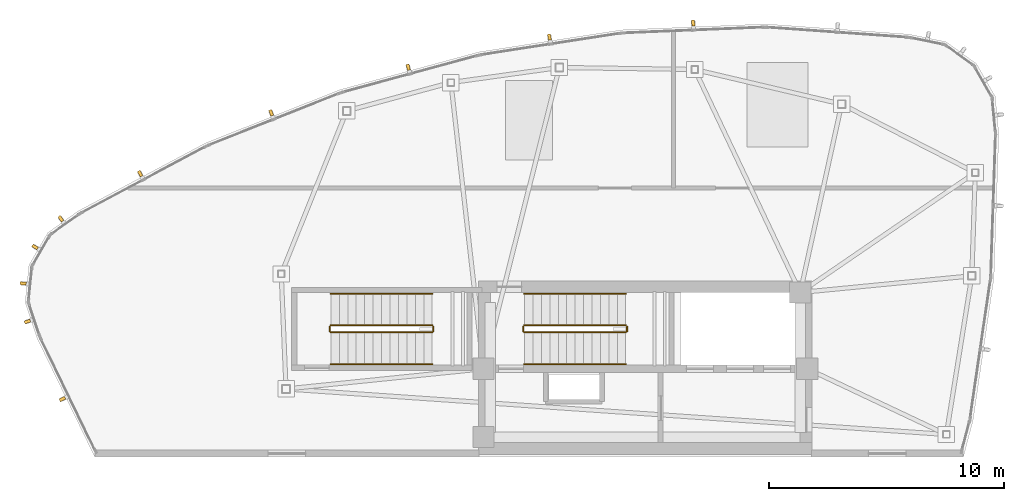
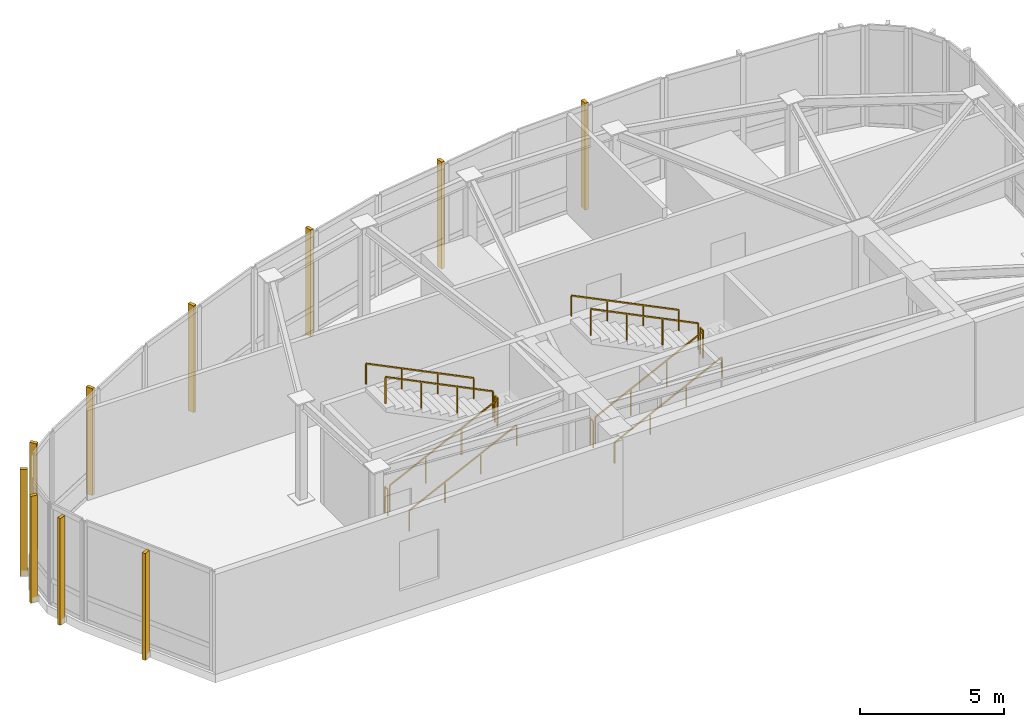
# One storey, part 8 of 10: 12 railings, 10 shading devices.
"""IFC4 building model written with IfcOpenShell, lengths in metres."""

import ifcopenshell
import ifcopenshell.guid

model = None  # the IFC model being written
_history = None  # IfcOwnerHistory: only IFC2X3 demands one
_inside = {}  # id of a spatial element -> (the spatial element, [elements in it])
_under = {}  # id of a project, library or spatial element -> (it, [spatial elements below it])
_declared = {}  # id of a project -> (the project, [libraries it declares])
_typed = {}  # id of a type object -> (the type object, [elements of that type])
_made_of = {}  # id of a material, layer set ... -> (it, [elements and type objects made of it])


def new_model(schema):
    """Start an empty IFC model of exactly this schema.

    Asked for "IFC4X3", IfcOpenShell would pick the latest addendum, in which some entities
    have other attributes; the version numbers below select the first issue.
    IFC2X3 requires an IfcOwnerHistory on every rooted entity: one is made here for all.
    """
    global model, _history
    if schema == "IFC4X3":
        model = ifcopenshell.file(schema_version=(4, 3, 0, 0))
    else:
        model = ifcopenshell.file(schema=schema)
    _inside.clear()
    _under.clear()
    _declared.clear()
    _typed.clear()
    _made_of.clear()
    _history = None
    if model.schema == "IFC2X3":
        org = make("IfcOrganization", Name="unknown")
        user = make(
            "IfcPersonAndOrganization",
            ThePerson=make("IfcPerson", FamilyName="unknown"),
            TheOrganization=org,
        )
        app = make(
            "IfcApplication",
            ApplicationDeveloper=org,
            Version="unknown",
            ApplicationFullName="unknown",
            ApplicationIdentifier="unknown",
        )
        _history = make(
            "IfcOwnerHistory",
            OwningUser=user,
            OwningApplication=app,
            ChangeAction="ADDED",
            CreationDate=0,
        )
    return model


def make(cls, **values):
    """One entity of the class cls with the attributes given. An attribute that is None is left unset."""
    return model.create_entity(
        cls, **{name: value for name, value in values.items() if value is not None}
    )


def rooted(cls, **values):
    """An entity with a GlobalId (a new one), such as an element, a storey or a relation."""
    return make(cls, GlobalId=ifcopenshell.guid.new(), OwnerHistory=_history, **values)


def si_unit(unit_type, name, prefix=None):
    """IfcSIUnit, for example si_unit("LENGTHUNIT", "METRE", prefix="MILLI")."""
    return make("IfcSIUnit", UnitType=unit_type, Prefix=prefix, Name=name)


def assignment(units):
    """IfcUnitAssignment: the units of a project."""
    return None if units is None else make("IfcUnitAssignment", Units=units)


def point(xyz):
    """IfcCartesianPoint."""
    return None if xyz is None else make("IfcCartesianPoint", Coordinates=xyz)


def direction(xyz):
    """IfcDirection."""
    return None if xyz is None else make("IfcDirection", DirectionRatios=xyz)


def frame(location, z_axis=None, x_axis=None):
    """IfcAxis2Placement3D, a coordinate frame: its origin and axes. An axis left out is left unset."""
    return make(
        "IfcAxis2Placement3D",
        Location=point(location),
        Axis=direction(z_axis),
        RefDirection=direction(x_axis),
    )


def frame_2d(location, x_axis=None):
    """IfcAxis2Placement2D, a coordinate frame in the plane: its origin and x axis."""
    return make(
        "IfcAxis2Placement2D", Location=point(location), RefDirection=direction(x_axis)
    )


def origin():
    """The frame at (0, 0, 0) with its axes left unset."""
    return frame((0.0, 0.0, 0.0))


def origin_2d():
    """The frame at (0, 0) in the plane with its x axis left unset."""
    return frame_2d((0.0, 0.0))


def place(relative_to, where):
    """IfcLocalPlacement: puts the frame where relative to a parent placement (None: the world)."""
    return make(
        "IfcLocalPlacement", PlacementRelTo=relative_to, RelativePlacement=where
    )


def context(
    kind, dimensions, precision=None, world=None, true_north=None, identifier=None
):
    """IfcGeometricRepresentationContext, for example the 3D "Model" context."""
    return make(
        "IfcGeometricRepresentationContext",
        ContextIdentifier=identifier,
        ContextType=kind,
        CoordinateSpaceDimension=dimensions,
        Precision=precision,
        WorldCoordinateSystem=world,
        TrueNorth=true_north,
    )


def subcontext(parent, identifier, kind, view, scale=None):
    """IfcGeometricRepresentationSubContext, for example "Body" below "Model"."""
    return make(
        "IfcGeometricRepresentationSubContext",
        ContextIdentifier=identifier,
        ContextType=kind,
        ParentContext=parent,
        TargetScale=scale,
        TargetView=view,
    )


def project(units=None, contexts=None):
    """IfcProject with its units and contexts."""
    return rooted(
        "IfcProject",
        Name="project",
        RepresentationContexts=contexts,
        UnitsInContext=assignment(units),
    )


def spatial(cls, under=None, at=None, **own):
    """A site, building, storey or space (cls), placed at a placement, below another one or the project."""
    s = rooted(cls, ObjectPlacement=at, **own)
    if under is not None:
        _under.setdefault(under.id(), (under, []))[1].append(s)
    return s


def profile(cls, at=None, kind="AREA", **sizes):
    """A parametric profile (cls). Its sizes go by their IFC names, for example OverallWidth=200.0."""
    return make(cls, ProfileType=kind, Position=at, **sizes)


def rectangle(**sizes):
    """IfcRectangleProfileDef."""
    return profile("IfcRectangleProfileDef", **sizes)


def extrude(swept, where, along, depth):
    """IfcExtrudedAreaSolid: the profile swept, set in the frame where, extruded along a direction by depth."""
    return make(
        "IfcExtrudedAreaSolid",
        SweptArea=swept,
        Position=where,
        ExtrudedDirection=direction(along),
        Depth=depth,
    )


def shape(context_of_items, identifier, shape_type, items):
    """IfcShapeRepresentation: the items that make up one representation, for example the "Body"."""
    return make(
        "IfcShapeRepresentation",
        ContextOfItems=context_of_items,
        RepresentationIdentifier=identifier,
        RepresentationType=shape_type,
        Items=items,
    )


def source(mapping_origin, context_of_items, identifier, shape_type, items):
    """IfcRepresentationMap: a shape defined once, which mapped items show again and again."""
    return make(
        "IfcRepresentationMap",
        MappingOrigin=mapping_origin,
        MappedRepresentation=shape(context_of_items, identifier, shape_type, items),
    )


def transform(
    local_origin,
    x_axis=None,
    y_axis=None,
    z_axis=None,
    scale=None,
    scale2=None,
    scale3=None,
    uniform=True,
):
    """IfcCartesianTransformationOperator3D, or its non-uniform kind. x_axis, y_axis, z_axis: its Axis1, 2, 3."""
    if uniform:
        return make(
            "IfcCartesianTransformationOperator3D",
            Axis1=direction(x_axis),
            Axis2=direction(y_axis),
            LocalOrigin=point(local_origin),
            Scale=scale,
            Axis3=direction(z_axis),
        )
    return make(
        "IfcCartesianTransformationOperator3DnonUniform",
        Axis1=direction(x_axis),
        Axis2=direction(y_axis),
        LocalOrigin=point(local_origin),
        Scale=scale,
        Axis3=direction(z_axis),
        Scale2=scale2,
        Scale3=scale3,
    )


def mapped(mapping_source, mapping_target):
    """IfcMappedItem: shows the shape of a source again, moved by a transform."""
    return make(
        "IfcMappedItem", MappingSource=mapping_source, MappingTarget=mapping_target
    )


def material(Name=None, Category=None):
    """IfcMaterial."""
    return make("IfcMaterial", Name=Name, Category=Category)


def made_of(thing, what):
    """Note that an element or type object is made of a material, layer set ...; save() writes the relation."""
    if what is not None:
        _made_of.setdefault(what.id(), (what, []))[1].append(thing)
    return thing


def type_object(cls, material=None, **own):
    """A type object (cls), such as IfcWallType, which elements share."""
    return made_of(rooted(cls, **own), material)


def type_shapes(of_type, sources):
    """Give a type object the sources (RepresentationMaps) that its elements show as mapped items."""
    of_type.RepresentationMaps = sources


def element(
    cls,
    number,
    at=None,
    inside=None,
    cuts=None,
    type_object=None,
    material=None,
    context=None,
    identifier="Body",
    shape_type=None,
    held_by="IfcProductDefinitionShape",
    body=None,
    shapes=None,
    **own,
):
    """One element of the class cls, such as IfcWall. Its Tag is "e" and its number.

    at: its placement. inside: the storey or other place that contains it. cuts: it is an
    opening in that element (IfcRelVoidsElement). A single representation is given by context,
    identifier, shape_type and body (its items); several are given by shapes. held_by: the class
    of the entity that holds the representations. save() writes the other relations.
    """
    e = rooted(cls, Tag="e%d" % number, ObjectPlacement=at, **own)
    if body is not None:
        shapes = [shape(context, identifier, shape_type, body)]
    if shapes is not None:
        e.Representation = make(held_by, Representations=shapes)
    if inside is not None:
        _inside.setdefault(inside.id(), (inside, []))[1].append(e)
    if cuts is not None:
        rooted(
            "IfcRelVoidsElement", RelatingBuildingElement=cuts, RelatedOpeningElement=e
        )
    if type_object is not None:
        _typed.setdefault(type_object.id(), (type_object, []))[1].append(e)
    return made_of(e, material)


def aggregate(whole, parts):
    """IfcRelAggregates: a whole, such as a stair, and the parts it consists of."""
    return rooted("IfcRelAggregates", RelatingObject=whole, RelatedObjects=parts)


def save(model, path):
    """Write the relations noted so far, then the file.

    IfcRelAggregates (storeys below a building ...), IfcRelContainedInSpatialStructure (elements
    in a storey), IfcRelDefinesByType, IfcRelAssociatesMaterial and IfcRelDeclares: one each for
    every whole, place, type object, material and project.
    """
    for whole, parts in _under.values():
        aggregate(whole, parts)
    for where, things in _inside.values():
        rooted(
            "IfcRelContainedInSpatialStructure",
            RelatedElements=things,
            RelatingStructure=where,
        )
    for kind, things in _typed.values():
        rooted("IfcRelDefinesByType", RelatedObjects=things, RelatingType=kind)
    for what, things in _made_of.values():
        rooted("IfcRelAssociatesMaterial", RelatedObjects=things, RelatingMaterial=what)
    for by, libraries in _declared.values():
        rooted("IfcRelDeclares", RelatingContext=by, RelatedDefinitions=libraries)
    model.write(path)


model = new_model("IFC4")

# Units and contexts
model_context = context("Model", 3, precision=1e-05, world=origin(), true_north=direction((0.0, 1.0)))
body_context = subcontext(model_context, "Body", "Model", "MODEL_VIEW")
ifc_project = project(units=[si_unit("LENGTHUNIT", "METRE"), si_unit("AREAUNIT", "SQUARE_METRE"), si_unit("VOLUMEUNIT", "CUBIC_METRE"), si_unit("PLANEANGLEUNIT", "RADIAN"), si_unit("MASSUNIT", "GRAM", prefix="KILO")], contexts=[model_context])

# Site, building, storey
site_placement = place(None, origin())
site = spatial("IfcSite", under=ifc_project, at=site_placement, CompositionType="ELEMENT")
building_placement = place(site_placement, origin())
building = spatial("IfcBuilding", under=site, at=building_placement, Name="Tavelor Broadcast Tower", CompositionType="ELEMENT")
storey_placement = place(building_placement, frame((0.0, 0.0, 355.10009765625)))
storey = spatial("IfcBuildingStorey", under=building, at=storey_placement, Name="L84", CompositionType="ELEMENT", Elevation=355.10009765625)

# Railings
ifc_material_1 = material(Name="Steel S355", Category="steel")
railing_type_1 = type_object("IfcRailingType", Name="Continuous Brushed Stainless Handrail 900 mm", PredefinedType="HANDRAIL", material=ifc_material_1)
railing_1_placement = place(storey_placement, frame((44.85009765625, 48.14990234375, 0.1767578125)))
element("IfcRailing", 1, at=railing_1_placement, inside=storey, type_object=railing_type_1, Name="L84 ST1 stair handrail 1", PredefinedType="HANDRAIL", context=body_context, shape_type="SweptSolid", body=[
    extrude(rectangle(XDim=0.048095703125, YDim=0.048095703125, at=origin_2d()), frame((0.0, 0.0, 0.8759765625), z_axis=(0.897469794739, 0.0, 0.441075920371), x_axis=(0.0, 1.0, 0.0)), (0.0, 0.0, 1.0), 4.813232421875),
    extrude(rectangle(XDim=0.0419921875, YDim=0.0419921875, at=origin_2d()), origin(), (0.0, 0.0, 1.0), 0.851806640625),
    extrude(rectangle(XDim=0.0419921875, YDim=0.0419921875, at=origin_2d()), frame((1.43994140625, 0.0, 0.707763671875)), (0.0, 0.0, 1.0), 0.851806640625),
    extrude(rectangle(XDim=0.0419921875, YDim=0.0419921875, at=origin_2d()), frame((2.8798828125, 0.0, 1.415283203125)), (0.0, 0.0, 1.0), 0.851806640625),
    extrude(rectangle(XDim=0.0419921875, YDim=0.0419921875, at=origin_2d()), frame((4.31982421875, 0.0, 2.123046875)), (0.0, 0.0, 1.0), 0.851806640625),
])
railing_2_placement = place(storey_placement, frame((49.169921875, 51.14990234375, 2.476806640625)))
element("IfcRailing", 2, at=railing_2_placement, inside=storey, type_object=railing_type_1, Name="L84 ST1 stair handrail 2", PredefinedType="HANDRAIL", context=body_context, shape_type="SweptSolid", body=[
    extrude(rectangle(XDim=0.048095703125, YDim=0.048095703125, at=origin_2d()), frame((0.0, 0.0, 0.8759765625), z_axis=(-0.897469794739, 0.0, 0.441075920371), x_axis=(0.0, -1.0, 0.0)), (0.0, 0.0, 1.0), 4.813232421875),
    extrude(rectangle(XDim=0.0419921875, YDim=0.0419921875, at=origin_2d()), origin(), (0.0, 0.0, 1.0), 0.851806640625),
    extrude(rectangle(XDim=0.0419921875, YDim=0.0419921875, at=origin_2d()), frame((-1.43994140625, 0.0, 0.707763671875)), (0.0, 0.0, 1.0), 0.851806640625),
    extrude(rectangle(XDim=0.0419921875, YDim=0.0419921875, at=origin_2d()), frame((-2.8798828125, 0.0, 1.415283203125)), (0.0, 0.0, 1.0), 0.851806640625),
    extrude(rectangle(XDim=0.0419921875, YDim=0.0419921875, at=origin_2d()), frame((-4.31982421875, 0.0, 2.123046875)), (0.0, 0.0, 1.0), 0.851806640625),
])
railing_3_placement = place(storey_placement, frame((36.60009765625, 48.14990234375, 0.1767578125)))
element("IfcRailing", 3, at=railing_3_placement, inside=storey, type_object=railing_type_1, Name="L84 ST5 stair handrail 1", PredefinedType="HANDRAIL", context=body_context, shape_type="SweptSolid", body=[
    extrude(rectangle(XDim=0.048095703125, YDim=0.048095703125, at=origin_2d()), frame((0.0, 0.0, 0.8759765625), z_axis=(0.897469794739, 0.0, 0.441075920371), x_axis=(0.0, 1.0, 0.0)), (0.0, 0.0, 1.0), 4.813232421875),
    extrude(rectangle(XDim=0.0419921875, YDim=0.0419921875, at=origin_2d()), origin(), (0.0, 0.0, 1.0), 0.851806640625),
    extrude(rectangle(XDim=0.0419921875, YDim=0.0419921875, at=origin_2d()), frame((1.43994140625, 0.0, 0.707763671875)), (0.0, 0.0, 1.0), 0.851806640625),
    extrude(rectangle(XDim=0.0419921875, YDim=0.0419921875, at=origin_2d()), frame((2.8798828125, 0.0, 1.415283203125)), (0.0, 0.0, 1.0), 0.851806640625),
    extrude(rectangle(XDim=0.0419921875, YDim=0.0419921875, at=origin_2d()), frame((4.31982421875, 0.0, 2.123046875)), (0.0, 0.0, 1.0), 0.851806640625),
])
railing_4_placement = place(storey_placement, frame((40.919921875, 51.14990234375, 2.476806640625)))
element("IfcRailing", 4, at=railing_4_placement, inside=storey, type_object=railing_type_1, Name="L84 ST5 stair handrail 2", PredefinedType="HANDRAIL", context=body_context, shape_type="SweptSolid", body=[
    extrude(rectangle(XDim=0.048095703125, YDim=0.048095703125, at=origin_2d()), frame((0.0, 0.0, 0.8759765625), z_axis=(-0.897469794739, 0.0, 0.441075920371), x_axis=(0.0, -1.0, 0.0)), (0.0, 0.0, 1.0), 4.813232421875),
    extrude(rectangle(XDim=0.0419921875, YDim=0.0419921875, at=origin_2d()), origin(), (0.0, 0.0, 1.0), 0.851806640625),
    extrude(rectangle(XDim=0.0419921875, YDim=0.0419921875, at=origin_2d()), frame((-1.43994140625, 0.0, 0.707763671875)), (0.0, 0.0, 1.0), 0.851806640625),
    extrude(rectangle(XDim=0.0419921875, YDim=0.0419921875, at=origin_2d()), frame((-2.8798828125, 0.0, 1.415283203125)), (0.0, 0.0, 1.0), 0.851806640625),
    extrude(rectangle(XDim=0.0419921875, YDim=0.0419921875, at=origin_2d()), frame((-4.31982421875, 0.0, 2.123046875)), (0.0, 0.0, 1.0), 0.851806640625),
])
railing_type_2 = type_object("IfcRailingType", Name="Stairwell Steel Safety Guardrail 1150 mm", PredefinedType="GUARDRAIL", material=ifc_material_1)
railing_5_placement = place(storey_placement, frame((44.85009765625, 49.5, 0.1767578125)))
element("IfcRailing", 5, at=railing_5_placement, inside=storey, type_object=railing_type_2, Name="L84 ST1 stair guard 1", PredefinedType="GUARDRAIL", context=body_context, shape_type="SweptSolid", body=[
    extrude(rectangle(XDim=0.048095703125, YDim=0.048095703125, at=origin_2d()), frame((0.0, 0.0, 1.1259765625), z_axis=(0.897469794739, 0.0, 0.441075920371), x_axis=(0.0, 1.0, 0.0)), (0.0, 0.0, 1.0), 4.813232421875),
    extrude(rectangle(XDim=0.0419921875, YDim=0.0419921875, at=origin_2d()), origin(), (0.0, 0.0, 1.0), 1.101806640625),
    extrude(rectangle(XDim=0.0419921875, YDim=0.0419921875, at=origin_2d()), frame((1.43994140625, 0.0, 0.707763671875)), (0.0, 0.0, 1.0), 1.101806640625),
    extrude(rectangle(XDim=0.0419921875, YDim=0.0419921875, at=origin_2d()), frame((2.8798828125, 0.0, 1.415283203125)), (0.0, 0.0, 1.0), 1.101806640625),
    extrude(rectangle(XDim=0.0419921875, YDim=0.0419921875, at=origin_2d()), frame((4.31982421875, 0.0, 2.123046875)), (0.0, 0.0, 1.0), 1.101806640625),
])
railing_6_placement = place(storey_placement, frame((49.219970703125, 49.550048828125, 2.2998046875)))
element("IfcRailing", 6, at=railing_6_placement, inside=storey, type_object=railing_type_2, Name="L84 ST1 stair guard 2", PredefinedType="GUARDRAIL", context=body_context, shape_type="SweptSolid", body=[
    extrude(rectangle(XDim=0.048095703125, YDim=0.048095703125, at=origin_2d()), frame((0.0, 0.0, 1.1259765625), z_axis=(0.0, 1.0, 0.0), x_axis=(-1.0, 0.0, 0.0)), (0.0, 0.0, 1.0), 0.199951171875),
    extrude(rectangle(XDim=0.0419921875, YDim=0.0419921875, at=origin_2d()), origin(), (0.0, 0.0, 1.0), 1.101806640625),
    extrude(rectangle(XDim=0.0419921875, YDim=0.0419921875, at=origin_2d()), frame((0.0, 0.199951171875, 0.0)), (0.0, 0.0, 1.0), 1.101806640625),
])
railing_7_placement = place(storey_placement, frame((49.169921875, 49.800048828125, 2.476806640625)))
element("IfcRailing", 7, at=railing_7_placement, inside=storey, type_object=railing_type_2, Name="L84 ST1 stair guard 3", PredefinedType="GUARDRAIL", context=body_context, shape_type="SweptSolid", body=[
    extrude(rectangle(XDim=0.048095703125, YDim=0.048095703125, at=origin_2d()), frame((0.0, 0.0, 1.1259765625), z_axis=(-0.897469794739, 0.0, 0.441075920371), x_axis=(0.0, -1.0, 0.0)), (0.0, 0.0, 1.0), 4.813232421875),
    extrude(rectangle(XDim=0.0419921875, YDim=0.0419921875, at=origin_2d()), origin(), (0.0, 0.0, 1.0), 1.101806640625),
    extrude(rectangle(XDim=0.0419921875, YDim=0.0419921875, at=origin_2d()), frame((-1.43994140625, 0.0, 0.707763671875)), (0.0, 0.0, 1.0), 1.101806640625),
    extrude(rectangle(XDim=0.0419921875, YDim=0.0419921875, at=origin_2d()), frame((-2.8798828125, 0.0, 1.415283203125)), (0.0, 0.0, 1.0), 1.101806640625),
    extrude(rectangle(XDim=0.0419921875, YDim=0.0419921875, at=origin_2d()), frame((-4.31982421875, 0.0, 2.123046875)), (0.0, 0.0, 1.0), 1.101806640625),
])
railing_8_placement = place(storey_placement, frame((44.800048828125, 49.550048828125, 0.0)))
element("IfcRailing", 8, at=railing_8_placement, inside=storey, type_object=railing_type_2, Name="L84 ST1 stair guard 4", PredefinedType="GUARDRAIL", context=body_context, shape_type="SweptSolid", body=[
    extrude(rectangle(XDim=0.048095703125, YDim=0.048095703125, at=origin_2d()), frame((0.0, 0.0, 1.1259765625), z_axis=(0.0, 1.0, 0.0), x_axis=(-1.0, 0.0, 0.0)), (0.0, 0.0, 1.0), 0.199951171875),
    extrude(rectangle(XDim=0.0419921875, YDim=0.0419921875, at=origin_2d()), origin(), (0.0, 0.0, 1.0), 1.101806640625),
    extrude(rectangle(XDim=0.0419921875, YDim=0.0419921875, at=origin_2d()), frame((0.0, 0.199951171875, 0.0)), (0.0, 0.0, 1.0), 1.101806640625),
])
railing_9_placement = place(storey_placement, frame((36.60009765625, 49.5, 0.1767578125)))
element("IfcRailing", 9, at=railing_9_placement, inside=storey, type_object=railing_type_2, Name="L84 ST5 stair guard 1", PredefinedType="GUARDRAIL", context=body_context, shape_type="SweptSolid", body=[
    extrude(rectangle(XDim=0.048095703125, YDim=0.048095703125, at=origin_2d()), frame((0.0, 0.0, 1.1259765625), z_axis=(0.897469794739, 0.0, 0.441075920371), x_axis=(0.0, 1.0, 0.0)), (0.0, 0.0, 1.0), 4.813232421875),
    extrude(rectangle(XDim=0.0419921875, YDim=0.0419921875, at=origin_2d()), origin(), (0.0, 0.0, 1.0), 1.101806640625),
    extrude(rectangle(XDim=0.0419921875, YDim=0.0419921875, at=origin_2d()), frame((1.43994140625, 0.0, 0.707763671875)), (0.0, 0.0, 1.0), 1.101806640625),
    extrude(rectangle(XDim=0.0419921875, YDim=0.0419921875, at=origin_2d()), frame((2.8798828125, 0.0, 1.415283203125)), (0.0, 0.0, 1.0), 1.101806640625),
    extrude(rectangle(XDim=0.0419921875, YDim=0.0419921875, at=origin_2d()), frame((4.31982421875, 0.0, 2.123046875)), (0.0, 0.0, 1.0), 1.101806640625),
])
railing_10_placement = place(storey_placement, frame((40.969970703125, 49.550048828125, 2.2998046875)))
element("IfcRailing", 10, at=railing_10_placement, inside=storey, type_object=railing_type_2, Name="L84 ST5 stair guard 2", PredefinedType="GUARDRAIL", context=body_context, shape_type="SweptSolid", body=[
    extrude(rectangle(XDim=0.048095703125, YDim=0.048095703125, at=origin_2d()), frame((0.0, 0.0, 1.1259765625), z_axis=(0.0, 1.0, 0.0), x_axis=(-1.0, 0.0, 0.0)), (0.0, 0.0, 1.0), 0.199951171875),
    extrude(rectangle(XDim=0.0419921875, YDim=0.0419921875, at=origin_2d()), origin(), (0.0, 0.0, 1.0), 1.101806640625),
    extrude(rectangle(XDim=0.0419921875, YDim=0.0419921875, at=origin_2d()), frame((0.0, 0.199951171875, 0.0)), (0.0, 0.0, 1.0), 1.101806640625),
])
railing_11_placement = place(storey_placement, frame((40.919921875, 49.800048828125, 2.476806640625)))
element("IfcRailing", 11, at=railing_11_placement, inside=storey, type_object=railing_type_2, Name="L84 ST5 stair guard 3", PredefinedType="GUARDRAIL", context=body_context, shape_type="SweptSolid", body=[
    extrude(rectangle(XDim=0.048095703125, YDim=0.048095703125, at=origin_2d()), frame((0.0, 0.0, 1.1259765625), z_axis=(-0.897469794739, 0.0, 0.441075920371), x_axis=(0.0, -1.0, 0.0)), (0.0, 0.0, 1.0), 4.813232421875),
    extrude(rectangle(XDim=0.0419921875, YDim=0.0419921875, at=origin_2d()), origin(), (0.0, 0.0, 1.0), 1.101806640625),
    extrude(rectangle(XDim=0.0419921875, YDim=0.0419921875, at=origin_2d()), frame((-1.43994140625, 0.0, 0.707763671875)), (0.0, 0.0, 1.0), 1.101806640625),
    extrude(rectangle(XDim=0.0419921875, YDim=0.0419921875, at=origin_2d()), frame((-2.8798828125, 0.0, 1.415283203125)), (0.0, 0.0, 1.0), 1.101806640625),
    extrude(rectangle(XDim=0.0419921875, YDim=0.0419921875, at=origin_2d()), frame((-4.31982421875, 0.0, 2.123046875)), (0.0, 0.0, 1.0), 1.101806640625),
])
railing_12_placement = place(storey_placement, frame((36.550048828125, 49.550048828125, 0.0)))
element("IfcRailing", 12, at=railing_12_placement, inside=storey, type_object=railing_type_2, Name="L84 ST5 stair guard 4", PredefinedType="GUARDRAIL", context=body_context, shape_type="SweptSolid", body=[
    extrude(rectangle(XDim=0.048095703125, YDim=0.048095703125, at=origin_2d()), frame((0.0, 0.0, 1.1259765625), z_axis=(0.0, 1.0, 0.0), x_axis=(-1.0, 0.0, 0.0)), (0.0, 0.0, 1.0), 0.199951171875),
    extrude(rectangle(XDim=0.0419921875, YDim=0.0419921875, at=origin_2d()), origin(), (0.0, 0.0, 1.0), 1.101806640625),
    extrude(rectangle(XDim=0.0419921875, YDim=0.0419921875, at=origin_2d()), frame((0.0, 0.199951171875, 0.0)), (0.0, 0.0, 1.0), 1.101806640625),
])

# Shading devices
ifc_material_2 = material(Name="Kiln-Fired Glazed Terracotta", Category="masonry")
shading_device_type = type_object("IfcShadingDeviceType", Name="Extruded Terracotta Corner Baguette 130x260", PredefinedType="JALOUSIE", material=ifc_material_2)
shared_shape = source(origin(), body_context, "Body", "SweptSolid", [
    extrude(rectangle(XDim=0.1298828125, YDim=0.260009765625, at=origin_2d()), origin(), (0.0, 0.0, 1.0), 4.5400390625),
])
type_shapes(shading_device_type, [shared_shape])
for number, where, z_axis, x_axis, name in (
    (13, (52.04052734375, 62.677978515625, -0.31005859375), (0.0, 0.0, 1.0), (-0.999158993058, -0.041003738744, 0.0), "L84 Terracotta Baguette Fin 864"),
    (14, (45.915283203125, 62.080810546875, -0.31005859375), (0.0, 0.0, 1.0), (-0.98828172337, -0.15264087019, 0.0), "L84 Terracotta Baguette Fin 865"),
    (15, (39.8955078125, 60.80126953125, -0.31005859375), (0.0, 0.0, 1.0), (-0.964924914393, -0.262526016964, 0.0), "L84 Terracotta Baguette Fin 866"),
    (16, (34.056884765625, 58.85546875, -0.31005859375), (0.0, 0.0, 1.0), (-0.929454882621, -0.36893579546, 0.0), "L84 Terracotta Baguette Fin 867"),
    (17, (28.47314453125, 56.267578125, -0.31005859375), (0.0, 0.0, 1.0), (-0.882291226435, -0.470703932165, 0.0), "L84 Terracotta Baguette Fin 868"),
    (18, (25.093017578125, 54.344970703125, -0.31005859375), (0.0, 0.0, 1.0), (-0.813608449501, -0.58141318432, 0.0), "L84 Terracotta Baguette Fin 869"),
    (19, (23.99462890625, 53.137939453125, -0.31005859375), (0.0, 0.0, 1.0), (-0.502265533143, -0.86471344052, 0.0), "L84 Terracotta Baguette Fin 870"),
    (20, (23.490478515625, 51.585693359375, -0.31005859375), (0.0, 0.0, 1.0), (-0.101924455795, -0.994792141762, 0.0), "L84 Terracotta Baguette Fin 871"),
    (21, (23.66943359375, 49.963623046875, -0.31005859375), (0.0, 0.0, 1.0), (0.316476967182, -0.948600194626, 0.0), "L84 Terracotta Baguette Fin 872"),
    (22, (25.158935546875, 46.65771484375, -0.31005859375), (0.0, 0.0, 1.0), (0.437115766651, -0.899405251566, 0.0), "L84 Terracotta Baguette Fin 873"),
):
    element("IfcShadingDevice", number, at=place(storey_placement, frame(where, z_axis=z_axis, x_axis=x_axis)), inside=storey, type_object=shading_device_type, Name=name, PredefinedType="JALOUSIE", context=body_context, shape_type="MappedRepresentation", body=[
        mapped(shared_shape, transform((0.0, 0.0, 0.0), scale=1.0)),
    ])

save(model, "model.ifc")
